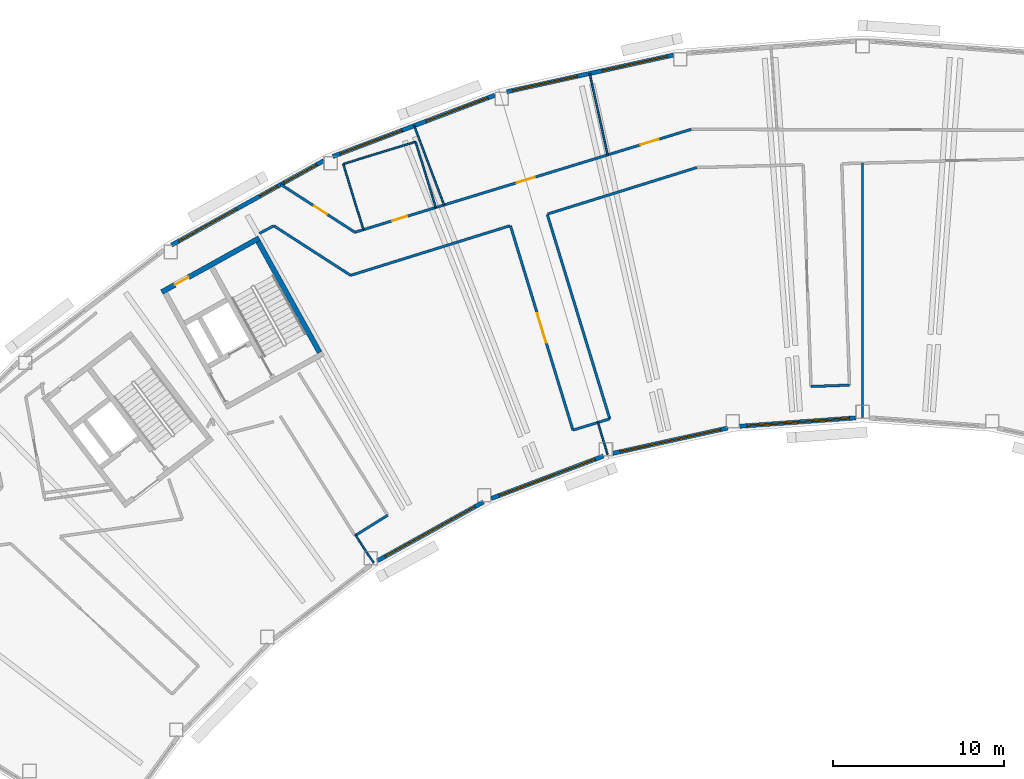
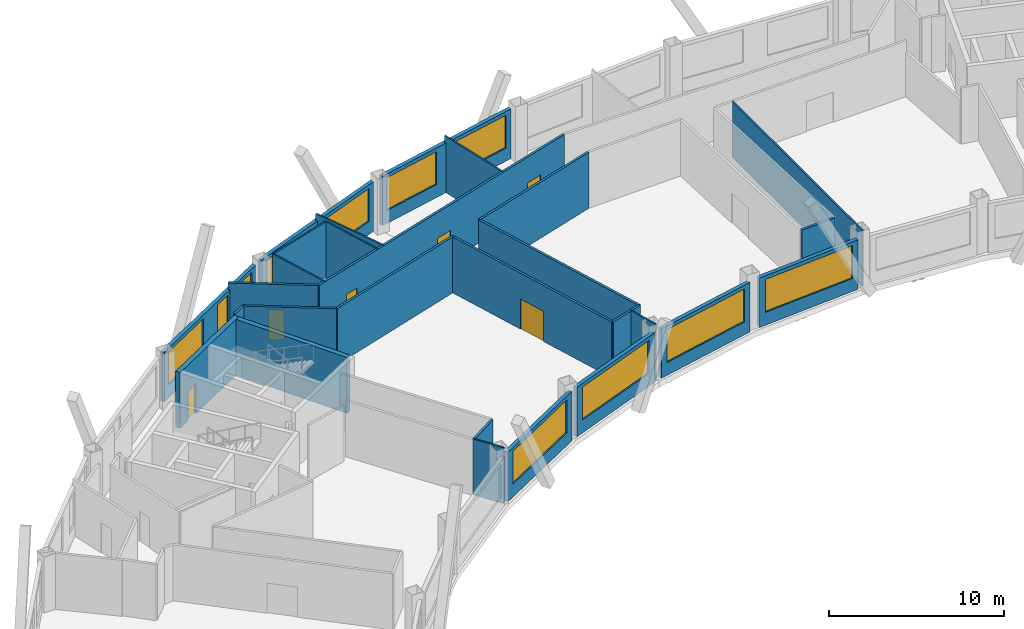
# One storey, part 6 of 13: 28 walls, 11 windows, 6 doors, 17 openings.
"""IFC4 building model written with IfcOpenShell, lengths in metres."""

from ifc_helpers import new_model, si_unit, direction, frame, frame_2d, origin, place, context, subcontext, project, spatial, rectangle, extrude, material, layer, layer_set, type_object, element, fill, save


model = new_model("IFC4")

# Units and contexts
model_context = context("Model", 3, precision=1e-05, world=origin(), true_north=direction((0.0, 1.0)))
body_context = subcontext(model_context, "Body", "Model", "MODEL_VIEW")
ifc_project = project(units=[si_unit("LENGTHUNIT", "METRE"), si_unit("AREAUNIT", "SQUARE_METRE"), si_unit("VOLUMEUNIT", "CUBIC_METRE"), si_unit("PLANEANGLEUNIT", "RADIAN"), si_unit("MASSUNIT", "GRAM", prefix="KILO")], contexts=[model_context])

# Site, building, storey
site_placement = place(None, origin())
site = spatial("IfcSite", under=ifc_project, at=site_placement, CompositionType="ELEMENT")
building_placement = place(site_placement, origin())
building = spatial("IfcBuilding", under=site, at=building_placement, Name="Tuul Gate Civic Tower", CompositionType="ELEMENT")
storey_placement = place(building_placement, frame((0.0, 0.0, 285.800048828125)))
storey = spatial("IfcBuildingStorey", under=building, at=storey_placement, Name="Level 64", CompositionType="ELEMENT", Elevation=285.800048828125)

# Wall, opening, door
ifc_material_1 = material(Name="Concrete C50/60", Category="concrete")
ifc_layer_1 = layer(ifc_material_1, 0.300048828125)
ifc_layer_set_1 = layer_set([ifc_layer_1], Name="Concrete C50/60")
wall_type_1 = type_object("IfcWallType", Name="Core wall C50/60", PredefinedType="SHEAR", material=ifc_layer_set_1)
wall_1_placement = place(storey_placement, frame((-28.4443359375, -1.98095703125, 0.0), z_axis=(0.0, 0.0, 1.0), x_axis=(-0.874629909008, -0.484791215132, 0.0)))
wall_1 = element("IfcWall", 1, at=wall_1_placement, inside=storey, type_object=wall_type_1, Name="Core wall", PredefinedType="SHEAR", context=body_context, shape_type="SweptSolid", body=[
    extrude(rectangle(XDim=6.5, YDim=0.300048828125, at=frame_2d((3.25, 0.0))), origin(), (0.0, 0.0, 1.0), 3.89990234375),
])
opening_1_placement = place(wall_1_placement, frame((4.72509765625, 0.0, 0.0)))
opening_1 = element("IfcOpeningElement", 2, at=opening_1_placement, cuts=wall_1, Name="Opening X-D20", PredefinedType="OPENING", context=body_context, shape_type="SweptSolid", body=[
    extrude(rectangle(XDim=0.89990234375, YDim=2.10009765625, at=frame_2d((0.449951171875, 1.050048828125))), frame((0.0, 0.16015625, 0.0), z_axis=(0.0, -1.0, 0.0), x_axis=(1.0, 0.0, 0.0)), (0.0, 0.0, 1.0), 0.320068359375),
])
ifc_material_2 = material(Name="Timber door leaf", Category="wood")
door_type_1 = type_object("IfcDoorType", Name="Door D09", OperationType="NOTDEFINED", PredefinedType="DOOR", material=ifc_material_2)
door_1_placement = place(opening_1_placement, origin())
door_1 = element("IfcDoor", 3, at=door_1_placement, inside=storey, type_object=door_type_1, Name="Door X-D20", OperationType="SINGLE_SWING_LEFT", OverallHeight=2.10009765625, OverallWidth=0.89990234375, PredefinedType="DOOR", context=body_context, shape_type="SweptSolid", body=[
    extrude(rectangle(XDim=0.89990234375, YDim=2.10009765625, at=frame_2d((0.449951171875, 1.050048828125))), frame((0.0, 0.02490234375, 0.0), z_axis=(0.0, -1.0, 0.0), x_axis=(1.0, 0.0, 0.0)), (0.0, 0.0, 1.0), 0.050048828125),
])
fill(opening_1, door_1)

# Wall
wall_2_placement = place(storey_placement, frame((-24.91552734375, -8.6572265625, 0.0), z_axis=(0.0, 0.0, 1.0), x_axis=(-0.484777133038, 0.874637714304, 0.0)))
element("IfcWall", 4, at=wall_2_placement, inside=storey, type_object=wall_type_1, Name="Core wall", PredefinedType="SHEAR", context=body_context, shape_type="SweptSolid", body=[
    extrude(rectangle(XDim=7.400146484375, YDim=0.300048828125, at=frame_2d((3.7001953125, 0.0))), origin(), (0.0, 0.0, 1.0), 3.89990234375),
])

# Wall, openings, doors
ifc_material_3 = material(Name="Gypsum board partition")
ifc_layer_2 = layer(ifc_material_3, 0.14990234375)
ifc_layer_set_2 = layer_set([ifc_layer_2], Name="Gypsum board partition")
wall_type_2 = type_object("IfcWallType", Name="Corridor wall P150", PredefinedType="PARTITIONING", material=ifc_layer_set_2)
wall_3_placement = place(storey_placement, frame((-22.855712890625, -1.640869140625, 0.0), z_axis=(0.0, 0.0, 1.0), x_axis=(0.956204096899, 0.292700743207, 0.0)))
wall_3 = element("IfcWall", 5, at=wall_3_placement, inside=storey, type_object=wall_type_2, Name="p027", PredefinedType="PARTITIONING", context=body_context, shape_type="SweptSolid", body=[
    extrude(rectangle(XDim=20.54052734375, YDim=0.14990234375, at=frame_2d((10.270263671875, 0.0))), origin(), (0.0, 0.0, 1.0), 3.89990234375),
])
opening_2_placement = place(wall_3_placement, frame((17.437255859375, 0.0, 0.0)))
opening_2 = element("IfcOpeningElement", 6, at=opening_2_placement, cuts=wall_3, Name="Opening X-D04", PredefinedType="OPENING", context=body_context, shape_type="SweptSolid", body=[
    extrude(rectangle(XDim=1.10009765625, YDim=2.10009765625, at=frame_2d((0.550048828125, 1.050048828125))), frame((0.0, 0.0849609375, 0.0), z_axis=(0.0, -1.0, 0.0), x_axis=(1.0, 0.0, 0.0)), (0.0, 0.0, 1.0), 0.169921875),
])
opening_3_placement = place(wall_3_placement, frame((9.89013671875, 0.0, 0.0)))
opening_3 = element("IfcOpeningElement", 7, at=opening_3_placement, cuts=wall_3, Name="Opening X-D05", PredefinedType="OPENING", context=body_context, shape_type="SweptSolid", body=[
    extrude(rectangle(XDim=1.10009765625, YDim=2.10009765625, at=frame_2d((0.550048828125, 1.050048828125))), frame((0.0, 0.0849609375, 0.0), z_axis=(0.0, -1.0, 0.0), x_axis=(1.0, 0.0, 0.0)), (0.0, 0.0, 1.0), 0.169921875),
])
opening_4_placement = place(wall_3_placement, frame((2.278076171875, 0.0, 0.0)))
opening_4 = element("IfcOpeningElement", 8, at=opening_4_placement, cuts=wall_3, Name="Opening X-D06", PredefinedType="OPENING", context=body_context, shape_type="SweptSolid", body=[
    extrude(rectangle(XDim=0.89990234375, YDim=2.10009765625, at=frame_2d((0.449951171875, 1.050048828125))), frame((0.0, 0.0849609375, 0.0), z_axis=(0.0, -1.0, 0.0), x_axis=(1.0, 0.0, 0.0)), (0.0, 0.0, 1.0), 0.169921875),
])
door_2_placement = place(opening_4_placement, origin())
door_2 = element("IfcDoor", 9, at=door_2_placement, inside=storey, type_object=door_type_1, Name="Door X-D06", OperationType="SINGLE_SWING_RIGHT", OverallHeight=2.10009765625, OverallWidth=0.89990234375, PredefinedType="DOOR", context=body_context, shape_type="SweptSolid", body=[
    extrude(rectangle(XDim=0.89990234375, YDim=2.10009765625, at=frame_2d((0.449951171875, 1.050048828125))), frame((0.0, 0.02490234375, 0.0), z_axis=(0.0, -1.0, 0.0), x_axis=(1.0, 0.0, 0.0)), (0.0, 0.0, 1.0), 0.050048828125),
])
fill(opening_4, door_2)
ifc_material_4 = material(Name="Timber door leaf", Category="wood")
door_type_2 = type_object("IfcDoorType", Name="Door D11", OperationType="NOTDEFINED", PredefinedType="DOOR", material=ifc_material_4)
door_3_placement = place(opening_2_placement, origin())
door_3 = element("IfcDoor", 10, at=door_3_placement, inside=storey, type_object=door_type_2, Name="Door X-D04", OperationType="SINGLE_SWING_RIGHT", OverallHeight=2.10009765625, OverallWidth=1.10009765625, PredefinedType="DOOR", context=body_context, shape_type="SweptSolid", body=[
    extrude(rectangle(XDim=1.10009765625, YDim=2.10009765625, at=frame_2d((0.550048828125, 1.050048828125))), frame((0.0, 0.02490234375, 0.0), z_axis=(0.0, -1.0, 0.0), x_axis=(1.0, 0.0, 0.0)), (0.0, 0.0, 1.0), 0.050048828125),
])
fill(opening_2, door_3)
door_4_placement = place(opening_3_placement, origin())
door_4 = element("IfcDoor", 11, at=door_4_placement, inside=storey, type_object=door_type_2, Name="Door X-D05", OperationType="SINGLE_SWING_RIGHT", OverallHeight=2.10009765625, OverallWidth=1.10009765625, PredefinedType="DOOR", context=body_context, shape_type="SweptSolid", body=[
    extrude(rectangle(XDim=1.10009765625, YDim=2.10009765625, at=frame_2d((0.550048828125, 1.050048828125))), frame((0.0, 0.02490234375, 0.0), z_axis=(0.0, -1.0, 0.0), x_axis=(1.0, 0.0, 0.0)), (0.0, 0.0, 1.0), 0.050048828125),
])
fill(opening_3, door_4)

# Walls
wall_4_placement = place(storey_placement, frame((-10.125, -13.193603515625, 0.0), z_axis=(0.0, 0.0, 1.0), x_axis=(0.956289194765, 0.292422598263, 0.0)))
element("IfcWall", 12, at=wall_4_placement, inside=storey, type_object=wall_type_2, Name="p066", PredefinedType="PARTITIONING", context=body_context, shape_type="SweptSolid", body=[
    extrude(rectangle(XDim=2.249267578125, YDim=0.14990234375, at=frame_2d((1.12451171875, 0.0))), origin(), (0.0, 0.0, 1.0), 3.89990234375),
])
wall_5_placement = place(storey_placement, frame((-11.621826171875, -0.602294921875, 0.0), z_axis=(0.0, 0.0, 1.0), x_axis=(0.29236815263, -0.95630584194, 0.0)))
element("IfcWall", 13, at=wall_5_placement, inside=storey, type_object=wall_type_2, Name="p067", PredefinedType="PARTITIONING", context=body_context, shape_type="SweptSolid", body=[
    extrude(rectangle(XDim=12.47802734375, YDim=0.14990234375, at=frame_2d((6.239013671875, 0.0))), origin(), (0.0, 0.0, 1.0), 3.89990234375),
])
wall_6_placement = place(storey_placement, frame((-23.10498046875, -4.15771484375, 0.0), z_axis=(0.0, 0.0, 1.0), x_axis=(0.95475491639, 0.297393761919, 0.0)))
element("IfcWall", 14, at=wall_6_placement, inside=storey, type_object=wall_type_2, Name="p068", PredefinedType="PARTITIONING", context=body_context, shape_type="SweptSolid", body=[
    extrude(rectangle(XDim=9.750244140625, YDim=0.14990234375, at=frame_2d((4.875, 0.0))), origin(), (0.0, 0.0, 1.0), 3.89990234375),
])
wall_7_placement = place(storey_placement, frame((-11.6083984375, -0.576904296875, 0.0), z_axis=(0.0, 0.0, 1.0), x_axis=(0.954751837595, 0.297403645926, 0.0)))
element("IfcWall", 15, at=wall_7_placement, inside=storey, type_object=wall_type_2, Name="p069", PredefinedType="PARTITIONING", context=body_context, shape_type="SweptSolid", body=[
    extrude(rectangle(XDim=9.126953125, YDim=0.14990234375, at=frame_2d((4.5634765625, 0.0))), origin(), (0.0, 0.0, 1.0), 3.89990234375),
])
wall_8_placement = place(storey_placement, frame((3.77685546875, -10.64599609375, 0.0), z_axis=(0.0, 0.0, 1.0), x_axis=(0.999388593446, 0.034963399293, 0.0)))
element("IfcWall", 16, at=wall_8_placement, inside=storey, type_object=wall_type_2, Name="p071", PredefinedType="PARTITIONING", context=body_context, shape_type="SweptSolid", body=[
    extrude(rectangle(XDim=2.24853515625, YDim=0.14990234375, at=frame_2d((1.124267578125, 0.0))), origin(), (0.0, 0.0, 1.0), 3.89990234375),
])
wall_9_placement = place(storey_placement, frame((-22.85009765625, -19.358642578125, 0.0), z_axis=(0.0, 0.0, 1.0), x_axis=(0.848016591938, 0.529969678186, 0.0)))
element("IfcWall", 17, at=wall_9_placement, inside=storey, type_object=wall_type_2, Name="p075", PredefinedType="PARTITIONING", context=body_context, shape_type="SweptSolid", body=[
    extrude(rectangle(XDim=2.25, YDim=0.14990234375, at=frame_2d((1.125, 0.0))), origin(), (0.0, 0.0, 1.0), 3.89990234375),
])
wall_10_placement = place(storey_placement, frame((-28.42431640625, -1.7080078125, 0.0), z_axis=(0.0, 0.0, 1.0), x_axis=(0.880944468878, 0.473219655924, 0.0)))
element("IfcWall", 18, at=wall_10_placement, inside=storey, type_object=wall_type_2, Name="p077", PredefinedType="PARTITIONING", context=body_context, shape_type="SweptSolid", body=[
    extrude(rectangle(XDim=0.943115234375, YDim=0.14990234375, at=frame_2d((0.4716796875, 0.0))), origin(), (0.0, 0.0, 1.0), 3.89990234375),
])
wall_11_placement = place(storey_placement, frame((-27.593505859375, -1.26171875, 0.0), z_axis=(0.0, 0.0, 1.0), x_axis=(0.840281871945, -0.54214977237, 0.0)))
element("IfcWall", 19, at=wall_11_placement, inside=storey, type_object=wall_type_2, Name="p078", PredefinedType="PARTITIONING", context=body_context, shape_type="SweptSolid", body=[
    extrude(rectangle(XDim=5.341796875, YDim=0.14990234375, at=frame_2d((2.6708984375, 0.0))), origin(), (0.0, 0.0, 1.0), 3.89990234375),
])

# Wall, opening, door
wall_12_placement = place(storey_placement, frame((-13.77001953125, -1.271484375, 0.0), z_axis=(0.0, 0.0, 1.0), x_axis=(0.292376247058, -0.95630336722, 0.0)))
wall_12 = element("IfcWall", 20, at=wall_12_placement, inside=storey, type_object=wall_type_2, Name="p079", PredefinedType="PARTITIONING", context=body_context, shape_type="SweptSolid", body=[
    extrude(rectangle(XDim=12.466796875, YDim=0.14990234375, at=frame_2d((6.2333984375, 0.0))), origin(), (0.0, 0.0, 1.0), 3.89990234375),
])
opening_5_placement = place(wall_12_placement, frame((5.333251953125, 0.0, 0.0)))
opening_5 = element("IfcOpeningElement", 21, at=opening_5_placement, cuts=wall_12, Name="Opening X-D12", PredefinedType="OPENING", context=body_context, shape_type="SweptSolid", body=[
    extrude(rectangle(XDim=1.800048828125, YDim=2.10009765625, at=frame_2d((0.89990234375, 1.050048828125))), frame((0.0, 0.0849609375, 0.0), z_axis=(0.0, -1.0, 0.0), x_axis=(1.0, 0.0, 0.0)), (0.0, 0.0, 1.0), 0.169921875),
])
ifc_material_5 = material(Name="Timber door leaf, double", Category="wood")
door_type_3 = type_object("IfcDoorType", Name="Door D18", OperationType="DOUBLE_DOOR_SINGLE_SWING", PredefinedType="DOOR", material=ifc_material_5)
door_5_placement = place(opening_5_placement, frame((1.800048828125, 0.0, 0.0), z_axis=(0.0, 0.0, 1.0), x_axis=(-1.0, 0.0, 0.0)))
door_5 = element("IfcDoor", 22, at=door_5_placement, inside=storey, type_object=door_type_3, Name="Door X-D12", OperationType="DOUBLE_DOOR_SINGLE_SWING", OverallHeight=2.10009765625, OverallWidth=1.800048828125, PredefinedType="DOOR", context=body_context, shape_type="SweptSolid", body=[
    extrude(rectangle(XDim=1.800048828125, YDim=2.10009765625, at=frame_2d((0.900146484375, 1.050048828125))), frame((0.0, 0.02490234375, 0.0), z_axis=(0.0, -1.0, 0.0), x_axis=(1.0, 0.0, 0.0)), (0.0, 0.0, 1.0), 0.050048828125),
])
fill(opening_5, door_5)

wall_13_placement = place(storey_placement, frame((-27.183349609375, 1.151123046875, 0.0), z_axis=(0.0, 0.0, 1.0), x_axis=(0.840299434688, -0.542122550778, 0.0)))
wall_13 = element("IfcWall", 23, at=wall_13_placement, inside=storey, type_object=wall_type_2, Name="p105", PredefinedType="PARTITIONING", context=body_context, shape_type="SweptSolid", body=[
    extrude(rectangle(XDim=5.150146484375, YDim=0.14990234375, at=frame_2d((2.5751953125, 0.0))), origin(), (0.0, 0.0, 1.0), 3.89990234375),
])
opening_6_placement = place(wall_13_placement, frame((2.312255859375, 0.0, 0.0)))
opening_6 = element("IfcOpeningElement", 24, at=opening_6_placement, cuts=wall_13, Name="Opening X-D18", PredefinedType="OPENING", context=body_context, shape_type="SweptSolid", body=[
    extrude(rectangle(XDim=0.89990234375, YDim=2.10009765625, at=frame_2d((0.449951171875, 1.050048828125))), frame((0.0, 0.0849609375, 0.0), z_axis=(0.0, -1.0, 0.0), x_axis=(1.0, 0.0, 0.0)), (0.0, 0.0, 1.0), 0.169921875),
])
door_6_placement = place(opening_6_placement, origin())
door_6 = element("IfcDoor", 25, at=door_6_placement, inside=storey, type_object=door_type_1, Name="Door X-D18", OperationType="SINGLE_SWING_RIGHT", OverallHeight=2.10009765625, OverallWidth=0.89990234375, PredefinedType="DOOR", context=body_context, shape_type="SweptSolid", body=[
    extrude(rectangle(XDim=0.89990234375, YDim=2.10009765625, at=frame_2d((0.449951171875, 1.050048828125))), frame((0.0, 0.02490234375, 0.0), z_axis=(0.0, -1.0, 0.0), x_axis=(1.0, 0.0, 0.0)), (0.0, 0.0, 1.0), 0.050048828125),
])
fill(opening_6, door_6)

# Wall, openings, windows
ifc_material_6 = material(Name="Precast concrete C40/50", Category="concrete")
ifc_layer_3 = layer(ifc_material_6, 0.25)
ifc_layer_set_3 = layer_set([ifc_layer_3], Name="Precast concrete C40/50")
wall_type_3 = type_object("IfcWallType", Name="External wall", PredefinedType="STANDARD", material=ifc_layer_set_3)
wall_14_placement = place(storey_placement, frame((-4.260986328125, 8.705078125, 0.0), z_axis=(0.0, 0.0, 1.0), x_axis=(-0.976568573814, -0.215206460496, 0.0)))
wall_14 = element("IfcWall", 26, at=wall_14_placement, inside=storey, type_object=wall_type_3, Name="External wall", PredefinedType="STANDARD", context=body_context, shape_type="SweptSolid", body=[
    extrude(rectangle(XDim=9.958251953125, YDim=0.25, at=frame_2d((4.97900390625, 0.0))), origin(), (0.0, 0.0, 1.0), 3.449951171875),
])
opening_7_placement = place(wall_14_placement, frame((0.39013671875, 0.0, 0.89990234375)))
opening_7 = element("IfcOpeningElement", 27, at=opening_7_placement, cuts=wall_14, Name="Opening W22", PredefinedType="OPENING", context=body_context, shape_type="SweptSolid", body=[
    extrude(rectangle(XDim=3.85009765625, YDim=2.300048828125, at=frame_2d((1.925048828125, 1.14990234375))), frame((0.0, 0.135009765625, 0.0), z_axis=(0.0, -1.0, 0.0), x_axis=(1.0, 0.0, 0.0)), (0.0, 0.0, 1.0), 0.27001953125),
])
opening_8_placement = place(wall_14_placement, frame((5.761474609375, 0.0, 0.89990234375)))
opening_8 = element("IfcOpeningElement", 28, at=opening_8_placement, cuts=wall_14, Name="Opening W22", PredefinedType="OPENING", context=body_context, shape_type="SweptSolid", body=[
    extrude(rectangle(XDim=3.85009765625, YDim=2.300048828125, at=frame_2d((1.925048828125, 1.14990234375))), frame((0.0, 0.135009765625, 0.0), z_axis=(0.0, -1.0, 0.0), x_axis=(1.0, 0.0, 0.0)), (0.0, 0.0, 1.0), 0.27001953125),
])
ifc_material_7 = material(Name="Glass", Category="glass")
window_type_1 = type_object("IfcWindowType", Name="Window W22 3850 x 2300", PartitioningType="SINGLE_PANEL", PredefinedType="WINDOW", material=ifc_material_7)
window_1_placement = place(opening_7_placement, origin())
window_1 = element("IfcWindow", 29, at=window_1_placement, inside=storey, type_object=window_type_1, Name="Window", OverallHeight=2.300048828125, OverallWidth=3.85009765625, PartitioningType="SINGLE_PANEL", PredefinedType="WINDOW", context=body_context, shape_type="SweptSolid", body=[
    extrude(rectangle(XDim=3.85009765625, YDim=2.300048828125, at=frame_2d((1.925048828125, 1.14990234375))), frame((0.0, 0.030029296875, 0.0), z_axis=(0.0, -1.0, 0.0), x_axis=(1.0, 0.0, 0.0)), (0.0, 0.0, 1.0), 0.06005859375),
])
fill(opening_7, window_1)
window_2_placement = place(opening_8_placement, origin())
window_2 = element("IfcWindow", 30, at=window_2_placement, inside=storey, type_object=window_type_1, Name="Window", OverallHeight=2.300048828125, OverallWidth=3.85009765625, PartitioningType="SINGLE_PANEL", PredefinedType="WINDOW", context=body_context, shape_type="SweptSolid", body=[
    extrude(rectangle(XDim=3.85009765625, YDim=2.300048828125, at=frame_2d((1.925048828125, 1.14990234375))), frame((0.0, 0.030029296875, 0.0), z_axis=(0.0, -1.0, 0.0), x_axis=(1.0, 0.0, 0.0)), (0.0, 0.0, 1.0), 0.06005859375),
])
fill(opening_8, window_2)

wall_15_placement = place(storey_placement, frame((-14.68798828125, 6.35888671875, 0.0), z_axis=(0.0, 0.0, 1.0), x_axis=(-0.9353443931, -0.353738415071, 0.0)))
wall_15 = element("IfcWall", 31, at=wall_15_placement, inside=storey, type_object=wall_type_3, Name="External wall", PredefinedType="STANDARD", context=body_context, shape_type="SweptSolid", body=[
    extrude(rectangle(XDim=10.103515625, YDim=0.25, at=frame_2d((5.0517578125, 0.0))), origin(), (0.0, 0.0, 1.0), 3.449951171875),
])
opening_9_placement = place(wall_15_placement, frame((0.423583984375, 0.0, 0.89990234375)))
opening_9 = element("IfcOpeningElement", 32, at=opening_9_placement, cuts=wall_15, Name="Opening W22", PredefinedType="OPENING", context=body_context, shape_type="SweptSolid", body=[
    extrude(rectangle(XDim=3.85009765625, YDim=2.300048828125, at=frame_2d((1.925048828125, 1.14990234375))), frame((0.0, 0.135009765625, 0.0), z_axis=(0.0, -1.0, 0.0), x_axis=(1.0, 0.0, 0.0)), (0.0, 0.0, 1.0), 0.27001953125),
])
opening_10_placement = place(wall_15_placement, frame((5.794921875, 0.0, 0.89990234375)))
opening_10 = element("IfcOpeningElement", 33, at=opening_10_placement, cuts=wall_15, Name="Opening W22", PredefinedType="OPENING", context=body_context, shape_type="SweptSolid", body=[
    extrude(rectangle(XDim=3.85009765625, YDim=2.300048828125, at=frame_2d((1.925048828125, 1.14990234375))), frame((0.0, 0.135009765625, 0.0), z_axis=(0.0, -1.0, 0.0), x_axis=(1.0, 0.0, 0.0)), (0.0, 0.0, 1.0), 0.27001953125),
])
window_3_placement = place(opening_9_placement, origin())
window_3 = element("IfcWindow", 34, at=window_3_placement, inside=storey, type_object=window_type_1, Name="Window", OverallHeight=2.300048828125, OverallWidth=3.85009765625, PartitioningType="SINGLE_PANEL", PredefinedType="WINDOW", context=body_context, shape_type="SweptSolid", body=[
    extrude(rectangle(XDim=3.85009765625, YDim=2.300048828125, at=frame_2d((1.925048828125, 1.14990234375))), frame((0.0, 0.030029296875, 0.0), z_axis=(0.0, -1.0, 0.0), x_axis=(1.0, 0.0, 0.0)), (0.0, 0.0, 1.0), 0.06005859375),
])
fill(opening_9, window_3)
window_4_placement = place(opening_10_placement, origin())
window_4 = element("IfcWindow", 35, at=window_4_placement, inside=storey, type_object=window_type_1, Name="Window", OverallHeight=2.300048828125, OverallWidth=3.85009765625, PartitioningType="SINGLE_PANEL", PredefinedType="WINDOW", context=body_context, shape_type="SweptSolid", body=[
    extrude(rectangle(XDim=3.85009765625, YDim=2.300048828125, at=frame_2d((1.925048828125, 1.14990234375))), frame((0.0, 0.030029296875, 0.0), z_axis=(0.0, -1.0, 0.0), x_axis=(1.0, 0.0, 0.0)), (0.0, 0.0, 1.0), 0.06005859375),
])
fill(opening_10, window_4)

wall_16_placement = place(storey_placement, frame((-24.676025390625, 2.53515625, 0.0), z_axis=(0.0, 0.0, 1.0), x_axis=(-0.874624927255, -0.484800202789, 0.0)))
wall_16 = element("IfcWall", 36, at=wall_16_placement, inside=storey, type_object=wall_type_3, Name="External wall", PredefinedType="STANDARD", context=body_context, shape_type="SweptSolid", body=[
    extrude(rectangle(XDim=10.161376953125, YDim=0.25, at=frame_2d((5.08056640625, 0.0))), origin(), (0.0, 0.0, 1.0), 3.449951171875),
])
opening_11_placement = place(wall_16_placement, frame((5.821533203125, 0.0, 0.89990234375)))
opening_11 = element("IfcOpeningElement", 37, at=opening_11_placement, cuts=wall_16, Name="Opening W22", PredefinedType="OPENING", context=body_context, shape_type="SweptSolid", body=[
    extrude(rectangle(XDim=3.85009765625, YDim=2.300048828125, at=frame_2d((1.925048828125, 1.14990234375))), frame((0.0, 0.135009765625, 0.0), z_axis=(0.0, -1.0, 0.0), x_axis=(1.0, 0.0, 0.0)), (0.0, 0.0, 1.0), 0.27001953125),
])
opening_12_placement = place(wall_16_placement, frame((0.45703125, 0.0, 0.89990234375)))
opening_12 = element("IfcOpeningElement", 38, at=opening_12_placement, cuts=wall_16, Name="Opening W63", PredefinedType="OPENING", context=body_context, shape_type="SweptSolid", body=[
    extrude(rectangle(XDim=2.199951171875, YDim=2.300048828125, at=frame_2d((1.10009765625, 1.14990234375))), frame((0.0, 0.135009765625, 0.0), z_axis=(0.0, -1.0, 0.0), x_axis=(1.0, 0.0, 0.0)), (0.0, 0.0, 1.0), 0.27001953125),
])
opening_13_placement = place(wall_16_placement, frame((3.08203125, 0.0, 0.89990234375)))
opening_13 = element("IfcOpeningElement", 39, at=opening_13_placement, cuts=wall_16, Name="Opening W64", PredefinedType="OPENING", context=body_context, shape_type="SweptSolid", body=[
    extrude(rectangle(XDim=1.199951171875, YDim=2.300048828125, at=frame_2d((0.60009765625, 1.14990234375))), frame((0.0, 0.135009765625, 0.0), z_axis=(0.0, -1.0, 0.0), x_axis=(1.0, 0.0, 0.0)), (0.0, 0.0, 1.0), 0.27001953125),
])
ifc_material_8 = material(Name="Glass", Category="glass")
window_type_2 = type_object("IfcWindowType", Name="Window 1200 x 2300", PartitioningType="SINGLE_PANEL", PredefinedType="WINDOW", material=ifc_material_8)
window_5_placement = place(opening_13_placement, origin())
window_5 = element("IfcWindow", 40, at=window_5_placement, inside=storey, type_object=window_type_2, Name="Window", OverallHeight=2.300048828125, OverallWidth=1.199951171875, PartitioningType="SINGLE_PANEL", PredefinedType="WINDOW", context=body_context, shape_type="SweptSolid", body=[
    extrude(rectangle(XDim=1.199951171875, YDim=2.300048828125, at=frame_2d((0.60009765625, 1.14990234375))), frame((0.0, 0.030029296875, 0.0), z_axis=(0.0, -1.0, 0.0), x_axis=(1.0, 0.0, 0.0)), (0.0, 0.0, 1.0), 0.06005859375),
])
fill(opening_13, window_5)
ifc_material_9 = material(Name="Glass", Category="glass")
window_type_3 = type_object("IfcWindowType", Name="Window 2200 x 2300", PartitioningType="SINGLE_PANEL", PredefinedType="WINDOW", material=ifc_material_9)
window_6_placement = place(opening_12_placement, origin())
window_6 = element("IfcWindow", 41, at=window_6_placement, inside=storey, type_object=window_type_3, Name="Window", OverallHeight=2.300048828125, OverallWidth=2.199951171875, PartitioningType="SINGLE_PANEL", PredefinedType="WINDOW", context=body_context, shape_type="SweptSolid", body=[
    extrude(rectangle(XDim=2.199951171875, YDim=2.300048828125, at=frame_2d((1.10009765625, 1.14990234375))), frame((0.0, 0.030029296875, 0.0), z_axis=(0.0, -1.0, 0.0), x_axis=(1.0, 0.0, 0.0)), (0.0, 0.0, 1.0), 0.06005859375),
])
fill(opening_12, window_6)
window_7_placement = place(opening_11_placement, origin())
window_7 = element("IfcWindow", 42, at=window_7_placement, inside=storey, type_object=window_type_1, Name="Window", OverallHeight=2.300048828125, OverallWidth=3.85009765625, PartitioningType="SINGLE_PANEL", PredefinedType="WINDOW", context=body_context, shape_type="SweptSolid", body=[
    extrude(rectangle(XDim=3.85009765625, YDim=2.300048828125, at=frame_2d((1.925048828125, 1.14990234375))), frame((0.0, 0.030029296875, 0.0), z_axis=(0.0, -1.0, 0.0), x_axis=(1.0, 0.0, 0.0)), (0.0, 0.0, 1.0), 0.06005859375),
])
fill(opening_11, window_7)

# Wall, opening, window
wall_17_placement = place(storey_placement, frame((-21.5380859375, -20.82177734375, 0.0), z_axis=(0.0, 0.0, 1.0), x_axis=(0.874625686175, 0.484798833625, 0.0)))
wall_17 = element("IfcWall", 43, at=wall_17_placement, inside=storey, type_object=wall_type_3, Name="External wall", PredefinedType="STANDARD", context=body_context, shape_type="SweptSolid", body=[
    extrude(rectangle(XDim=7.074462890625, YDim=0.25, at=frame_2d((3.537109375, 0.0))), origin(), (0.0, 0.0, 1.0), 3.449951171875),
])
opening_14_placement = place(wall_17_placement, frame((0.51806640625, 0.0, 0.89990234375)))
opening_14 = element("IfcOpeningElement", 44, at=opening_14_placement, cuts=wall_17, Name="Opening W26", PredefinedType="OPENING", context=body_context, shape_type="SweptSolid", body=[
    extrude(rectangle(XDim=6.0, YDim=2.300048828125, at=frame_2d((3.0, 1.14990234375))), frame((0.0, 0.135009765625, 0.0), z_axis=(0.0, -1.0, 0.0), x_axis=(1.0, 0.0, 0.0)), (0.0, 0.0, 1.0), 0.27001953125),
])
ifc_material_10 = material(Name="Glass", Category="glass")
window_type_4 = type_object("IfcWindowType", Name="Window W26 6000 x 2300", PartitioningType="SINGLE_PANEL", PredefinedType="WINDOW", material=ifc_material_10)
window_8_placement = place(opening_14_placement, origin())
window_8 = element("IfcWindow", 45, at=window_8_placement, inside=storey, type_object=window_type_4, Name="Window", OverallHeight=2.300048828125, OverallWidth=6.0, PartitioningType="SINGLE_PANEL", PredefinedType="WINDOW", context=body_context, shape_type="SweptSolid", body=[
    extrude(rectangle(XDim=6.0, YDim=2.300048828125, at=frame_2d((3.0, 1.14990234375))), frame((0.0, 0.030029296875, 0.0), z_axis=(0.0, -1.0, 0.0), x_axis=(1.0, 0.0, 0.0)), (0.0, 0.0, 1.0), 0.06005859375),
])
fill(opening_14, window_8)

wall_18_placement = place(storey_placement, frame((-14.89794921875, -17.1875, 0.0), z_axis=(0.0, 0.0, 1.0), x_axis=(0.93536719876, 0.35367810716, 0.0)))
wall_18 = element("IfcWall", 46, at=wall_18_placement, inside=storey, type_object=wall_type_3, Name="External wall", PredefinedType="STANDARD", context=body_context, shape_type="SweptSolid", body=[
    extrude(rectangle(XDim=7.013427734375, YDim=0.25, at=frame_2d((3.5068359375, 0.0))), origin(), (0.0, 0.0, 1.0), 3.449951171875),
])
opening_15_placement = place(wall_18_placement, frame((0.490478515625, 0.0, 0.89990234375)))
opening_15 = element("IfcOpeningElement", 47, at=opening_15_placement, cuts=wall_18, Name="Opening W26", PredefinedType="OPENING", context=body_context, shape_type="SweptSolid", body=[
    extrude(rectangle(XDim=6.0, YDim=2.300048828125, at=frame_2d((3.0, 1.14990234375))), frame((0.0, 0.135009765625, 0.0), z_axis=(0.0, -1.0, 0.0), x_axis=(1.0, 0.0, 0.0)), (0.0, 0.0, 1.0), 0.27001953125),
])
window_9_placement = place(opening_15_placement, origin())
window_9 = element("IfcWindow", 48, at=window_9_placement, inside=storey, type_object=window_type_4, Name="Window", OverallHeight=2.300048828125, OverallWidth=6.0, PartitioningType="SINGLE_PANEL", PredefinedType="WINDOW", context=body_context, shape_type="SweptSolid", body=[
    extrude(rectangle(XDim=6.0, YDim=2.300048828125, at=frame_2d((3.0, 1.14990234375))), frame((0.0, 0.030029296875, 0.0), z_axis=(0.0, -1.0, 0.0), x_axis=(1.0, 0.0, 0.0)), (0.0, 0.0, 1.0), 0.06005859375),
])
fill(opening_15, window_9)

wall_19_placement = place(storey_placement, frame((-7.798095703125, -14.55126953125, 0.0), z_axis=(0.0, 0.0, 1.0), x_axis=(0.976561146318, 0.215240162382, 0.0)))
wall_19 = element("IfcWall", 49, at=wall_19_placement, inside=storey, type_object=wall_type_3, Name="External wall", PredefinedType="STANDARD", context=body_context, shape_type="SweptSolid", body=[
    extrude(rectangle(XDim=6.867919921875, YDim=0.25, at=frame_2d((3.43408203125, 0.0))), origin(), (0.0, 0.0, 1.0), 3.449951171875),
])
opening_16_placement = place(wall_19_placement, frame((0.458251953125, 0.0, 0.89990234375)))
opening_16 = element("IfcOpeningElement", 50, at=opening_16_placement, cuts=wall_19, Name="Opening W26", PredefinedType="OPENING", context=body_context, shape_type="SweptSolid", body=[
    extrude(rectangle(XDim=6.0, YDim=2.300048828125, at=frame_2d((3.0, 1.14990234375))), frame((0.0, 0.135009765625, 0.0), z_axis=(0.0, -1.0, 0.0), x_axis=(1.0, 0.0, 0.0)), (0.0, 0.0, 1.0), 0.27001953125),
])
window_10_placement = place(opening_16_placement, origin())
window_10 = element("IfcWindow", 51, at=window_10_placement, inside=storey, type_object=window_type_4, Name="Window", OverallHeight=2.300048828125, OverallWidth=6.0, PartitioningType="SINGLE_PANEL", PredefinedType="WINDOW", context=body_context, shape_type="SweptSolid", body=[
    extrude(rectangle(XDim=6.0, YDim=2.300048828125, at=frame_2d((3.0, 1.14990234375))), frame((0.0, 0.030029296875, 0.0), z_axis=(0.0, -1.0, 0.0), x_axis=(1.0, 0.0, 0.0)), (0.0, 0.0, 1.0), 0.06005859375),
])
fill(opening_16, window_10)

wall_20_placement = place(storey_placement, frame((-0.384033203125, -12.969482421875, 0.0), z_axis=(0.0, 0.0, 1.0), x_axis=(0.997384795983, 0.072274260578, 0.0)))
wall_20 = element("IfcWall", 52, at=wall_20_placement, inside=storey, type_object=wall_type_3, Name="External wall", PredefinedType="STANDARD", context=body_context, shape_type="SweptSolid", body=[
    extrude(rectangle(XDim=6.789794921875, YDim=0.25, at=frame_2d((3.39501953125, 0.0))), origin(), (0.0, 0.0, 1.0), 3.449951171875),
])
opening_17_placement = place(wall_20_placement, frame((0.41845703125, 0.0, 0.89990234375)))
opening_17 = element("IfcOpeningElement", 53, at=opening_17_placement, cuts=wall_20, Name="Opening W26", PredefinedType="OPENING", context=body_context, shape_type="SweptSolid", body=[
    extrude(rectangle(XDim=6.0, YDim=2.300048828125, at=frame_2d((3.0, 1.14990234375))), frame((0.0, 0.135009765625, 0.0), z_axis=(0.0, -1.0, 0.0), x_axis=(1.0, 0.0, 0.0)), (0.0, 0.0, 1.0), 0.27001953125),
])
window_11_placement = place(opening_17_placement, origin())
window_11 = element("IfcWindow", 54, at=window_11_placement, inside=storey, type_object=window_type_4, Name="Window", OverallHeight=2.300048828125, OverallWidth=6.0, PartitioningType="SINGLE_PANEL", PredefinedType="WINDOW", context=body_context, shape_type="SweptSolid", body=[
    extrude(rectangle(XDim=6.0, YDim=2.300048828125, at=frame_2d((3.0, 1.14990234375))), frame((0.0, 0.030029296875, 0.0), z_axis=(0.0, -1.0, 0.0), x_axis=(1.0, 0.0, 0.0)), (0.0, 0.0, 1.0), 0.06005859375),
])
fill(opening_17, window_11)

# Walls
ifc_material_11 = material(Name="Gypsum board partition")
ifc_layer_4 = layer(ifc_material_11, 0.10009765625)
ifc_layer_set_4 = layer_set([ifc_layer_4], Name="Gypsum board partition")
wall_type_4 = type_object("IfcWallType", Name="Partition P100", PredefinedType="PARTITIONING", material=ifc_layer_set_4)
wall_21_placement = place(storey_placement, frame((-9.14599609375, 7.6337890625, 0.0), z_axis=(0.0, 0.0, 1.0), x_axis=(0.215210746728, -0.976567629247, 0.0)))
element("IfcWall", 55, at=wall_21_placement, inside=storey, type_object=wall_type_4, Name="p026", PredefinedType="PARTITIONING", context=body_context, shape_type="SweptSolid", body=[
    extrude(rectangle(XDim=4.871337890625, YDim=0.10009765625, at=frame_2d((2.435546875, 0.0))), origin(), (0.0, 0.0, 1.0), 3.89990234375),
])
wall_22_placement = place(storey_placement, frame((-19.398681640625, 4.582763671875, 0.0), z_axis=(0.0, 0.0, 1.0), x_axis=(0.353684499738, -0.935364781593, 0.0)))
element("IfcWall", 56, at=wall_22_placement, inside=storey, type_object=wall_type_4, Name="p028", PredefinedType="PARTITIONING", context=body_context, shape_type="SweptSolid", body=[
    extrude(rectangle(XDim=4.94921875, YDim=0.10009765625, at=frame_2d((2.474609375, 0.0))), origin(), (0.0, 0.0, 1.0), 3.89990234375),
])
wall_23_placement = place(storey_placement, frame((-23.5341796875, 2.34521484375, 0.0), z_axis=(0.0, 0.0, 1.0), x_axis=(0.292660877969, -0.956216299017, 0.0)))
element("IfcWall", 57, at=wall_23_placement, inside=storey, type_object=wall_type_4, Name="p029", PredefinedType="PARTITIONING", context=body_context, shape_type="SweptSolid", body=[
    extrude(rectangle(XDim=4.010009765625, YDim=0.10009765625, at=frame_2d((2.0048828125, 0.0))), origin(), (0.0, 0.0, 1.0), 3.89990234375),
])
wall_24_placement = place(storey_placement, frame((-23.5341796875, 2.34521484375, 0.0), z_axis=(0.0, 0.0, 1.0), x_axis=(0.95620437266, 0.292699842339, 0.0)))
element("IfcWall", 58, at=wall_24_placement, inside=storey, type_object=wall_type_4, Name="p030", PredefinedType="PARTITIONING", context=body_context, shape_type="SweptSolid", body=[
    extrude(rectangle(XDim=4.419921875, YDim=0.10009765625, at=frame_2d((2.2099609375, 0.0))), origin(), (0.0, 0.0, 1.0), 3.89990234375),
])
wall_25_placement = place(storey_placement, frame((-19.307861328125, 3.638916015625, 0.0), z_axis=(0.0, 0.0, 1.0), x_axis=(0.292716544124, -0.956199259985, 0.0)))
element("IfcWall", 59, at=wall_25_placement, inside=storey, type_object=wall_type_4, Name="p031", PredefinedType="PARTITIONING", context=body_context, shape_type="SweptSolid", body=[
    extrude(rectangle(XDim=4.010009765625, YDim=0.10009765625, at=frame_2d((2.0048828125, 0.0))), origin(), (0.0, 0.0, 1.0), 3.89990234375),
])
wall_26_placement = place(storey_placement, frame((6.7880859375, -12.45458984375, 0.0), z_axis=(0.0, 0.0, 1.0), x_axis=(0.0, 1.0, 0.0)))
element("IfcWall", 60, at=wall_26_placement, inside=storey, type_object=wall_type_4, Name="p057", PredefinedType="PARTITIONING", context=body_context, shape_type="SweptSolid", body=[
    extrude(rectangle(XDim=14.849609375, YDim=0.10009765625, at=frame_2d((7.4248046875, 0.0))), origin(), (0.0, 0.0, 1.0), 3.89990234375),
])
wall_27_placement = place(storey_placement, frame((-8.661865234375, -12.746337890625, 0.0), z_axis=(0.0, 0.0, 1.0), x_axis=(0.285174536092, -0.958475604262, 0.0)))
element("IfcWall", 61, at=wall_27_placement, inside=storey, type_object=wall_type_4, Name="p065", PredefinedType="PARTITIONING", context=body_context, shape_type="SweptSolid", body=[
    extrude(rectangle(XDim=1.958740234375, YDim=0.10009765625, at=frame_2d((0.9794921875, 0.0))), origin(), (0.0, 0.0, 1.0), 3.89990234375),
])
wall_28_placement = place(storey_placement, frame((-22.811767578125, -19.334716796875, 0.0), z_axis=(0.0, 0.0, 1.0), x_axis=(0.546727310545, -0.837310723629, 0.0)))
element("IfcWall", 62, at=wall_28_placement, inside=storey, type_object=wall_type_4, Name="p074", PredefinedType="PARTITIONING", context=body_context, shape_type="SweptSolid", body=[
    extrude(rectangle(XDim=1.92822265625, YDim=0.10009765625, at=frame_2d((0.964111328125, 0.0))), origin(), (0.0, 0.0, 1.0), 3.89990234375),
])

save(model, "model.ifc")
